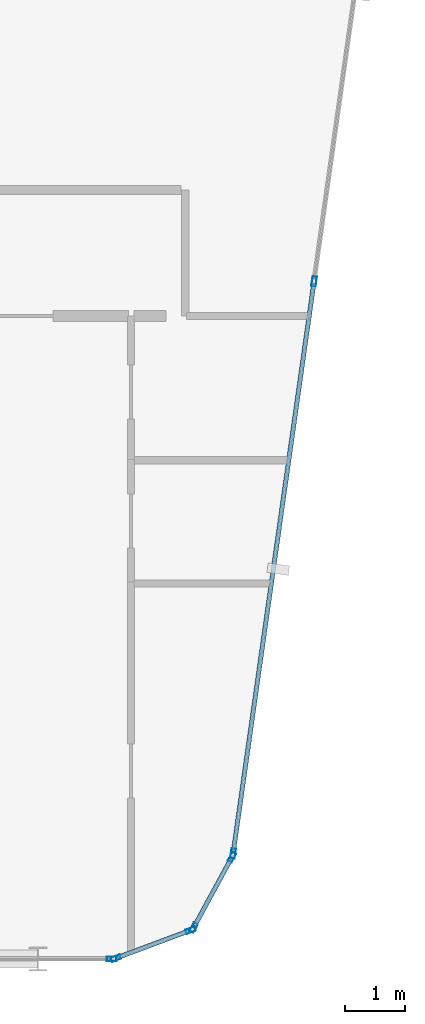
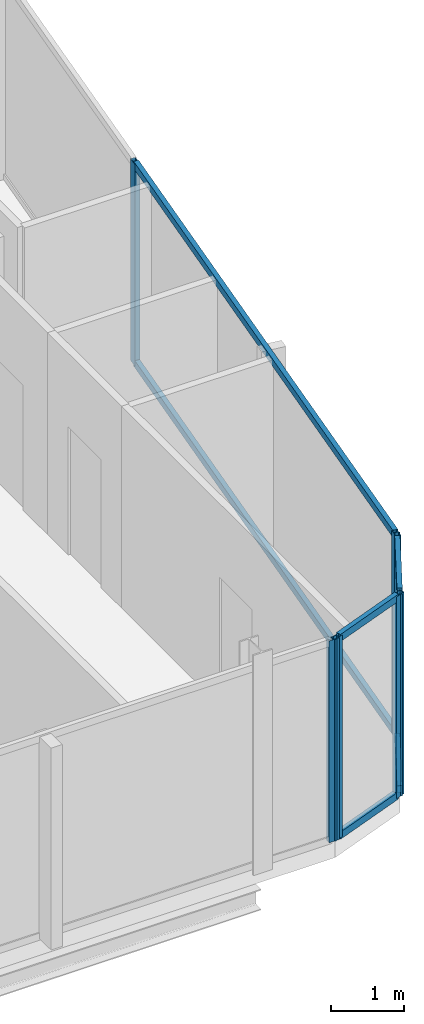
# One storey, part 12 of 27: 13 members, 4 elements without a shape of their own.
"""IFC4 building model written with IfcOpenShell, lengths in metres."""

from ifc_helpers import new_model, si_unit, direction, frame, origin, origin_2d, place, context, subcontext, project, spatial, hollow_rectangle, extrude, material, layer, layer_set, material_profile, profile_set, type_object, element, aggregate, save


model = new_model("IFC4")

# Units and contexts
model_context = context("Model", 3, precision=1e-05, world=origin(), true_north=direction((0.0, 1.0)))
body_context = subcontext(model_context, "Body", "Model", "MODEL_VIEW")
ifc_project = project(units=[si_unit("LENGTHUNIT", "METRE"), si_unit("AREAUNIT", "SQUARE_METRE"), si_unit("VOLUMEUNIT", "CUBIC_METRE"), si_unit("PLANEANGLEUNIT", "RADIAN"), si_unit("MASSUNIT", "GRAM", prefix="KILO")], contexts=[model_context])

# Site, building, storey
site_placement = place(None, origin())
site = spatial("IfcSite", under=ifc_project, at=site_placement, CompositionType="ELEMENT")
building_placement = place(site_placement, origin())
building = spatial("IfcBuilding", under=site, at=building_placement, Name="Keshet Zoharim Tower", CompositionType="ELEMENT")
storey_placement = place(building_placement, frame((0.0, 0.0, 273.199951171875)))
storey = spatial("IfcBuildingStorey", under=building, at=storey_placement, Name="L68", CompositionType="ELEMENT", Elevation=273.199951171875)

# Curtain wall, members
ifc_material = material(Name="Aluminium 6063-T6", Category="aluminium")
ifc_layer = layer(ifc_material, 0.260009765625)
ifc_layer_set = layer_set([ifc_layer], Name="Aluminium 6063-T6")
curtain_wall_type = type_object("IfcCurtainWallType", Name="CW-SYS-06", PredefinedType="NOTDEFINED", material=ifc_layer_set)
curtain_wall_1_placement = place(storey_placement, origin())
curtain_wall_1 = element("IfcCurtainWall", 1, at=curtain_wall_1_placement, inside=storey, type_object=curtain_wall_type, Name="L68 Unitised Curtain Wall 11", PredefinedType="NOTDEFINED")
ifc_material_profile_1 = material_profile(ifc_material, hollow_rectangle(XDim=0.074951171875, YDim=0.159912109375, WallThickness=0.00390625, at=origin_2d()), Name="MUL-75x160")
ifc_profile_set_1 = profile_set([ifc_material_profile_1], Name="Aluminium 6063-T6")
member_type_1 = type_object("IfcMemberType", Name="CWM-M15", PredefinedType="MULLION", material=ifc_profile_set_1)
member_1_placement = place(storey_placement, frame((43.595458984375, 17.97607421875, 0.0), z_axis=(0.0, 0.0, 1.0), x_axis=(0.990132057422, -0.140137464177, 0.0)))
member_1 = element("IfcMember", 2, at=member_1_placement, type_object=member_type_1, Name="CW-06 mullion 2", PredefinedType="MULLION", context=body_context, shape_type="SweptSolid", body=[
    extrude(hollow_rectangle(XDim=0.074951171875, YDim=0.159912109375, WallThickness=0.00390625, at=origin_2d()), origin(), (0.0, 0.0, 1.0), 3.39013671875),
])
member_2_placement = place(storey_placement, frame((42.247802734375, 8.45458984375, 0.0), z_axis=(0.0, 0.0, 1.0), x_axis=(0.990132057422, -0.140137464177, 0.0)))
member_2 = element("IfcMember", 3, at=member_2_placement, type_object=member_type_1, Name="CW-06 mullion 3", PredefinedType="MULLION", context=body_context, shape_type="SweptSolid", body=[
    extrude(hollow_rectangle(XDim=0.074951171875, YDim=0.159912109375, WallThickness=0.00390625, at=origin_2d()), origin(), (0.0, 0.0, 1.0), 3.39013671875),
])

curtain_wall_2_placement = place(storey_placement, origin())
curtain_wall_2 = element("IfcCurtainWall", 4, at=curtain_wall_2_placement, inside=storey, type_object=curtain_wall_type, Name="L68 Unitised Curtain Wall 12", PredefinedType="NOTDEFINED")
member_3_placement = place(storey_placement, frame((42.226318359375, 8.38916015625, 0.0), z_axis=(0.0, 0.0, 1.0), x_axis=(0.878468125004, -0.477800955789, 0.0)))
member_3 = element("IfcMember", 5, at=member_3_placement, type_object=member_type_1, Name="CW-06 mullion 1", PredefinedType="MULLION", context=body_context, shape_type="SweptSolid", body=[
    extrude(hollow_rectangle(XDim=0.074951171875, YDim=0.159912109375, WallThickness=0.00390625, at=origin_2d()), origin(), (0.0, 0.0, 1.0), 3.39013671875),
])
member_4_placement = place(storey_placement, frame((41.5908203125, 7.220703125, 0.0), z_axis=(0.0, 0.0, 1.0), x_axis=(0.878468125004, -0.477800955789, 0.0)))
member_4 = element("IfcMember", 6, at=member_4_placement, type_object=member_type_1, Name="CW-06 mullion 2", PredefinedType="MULLION", context=body_context, shape_type="SweptSolid", body=[
    extrude(hollow_rectangle(XDim=0.074951171875, YDim=0.159912109375, WallThickness=0.00390625, at=origin_2d()), origin(), (0.0, 0.0, 1.0), 3.39013671875),
])

curtain_wall_3_placement = place(storey_placement, origin())
curtain_wall_3 = element("IfcCurtainWall", 7, at=curtain_wall_3_placement, inside=storey, type_object=curtain_wall_type, Name="L68 Unitised Curtain Wall 13", PredefinedType="NOTDEFINED")
member_5_placement = place(storey_placement, frame((41.541259765625, 7.177734375, 0.0), z_axis=(0.0, 0.0, 1.0), x_axis=(0.350105315376, -0.936710343781, 0.0)))
member_5 = element("IfcMember", 8, at=member_5_placement, type_object=member_type_1, Name="CW-06 mullion 1", PredefinedType="MULLION", context=body_context, shape_type="SweptSolid", body=[
    extrude(hollow_rectangle(XDim=0.074951171875, YDim=0.159912109375, WallThickness=0.00390625, at=origin_2d()), origin(), (0.0, 0.0, 1.0), 3.39013671875),
])
member_6_placement = place(storey_placement, frame((40.2958984375, 6.712158203125, 0.0), z_axis=(0.0, 0.0, 1.0), x_axis=(0.350105315376, -0.936710343781, 0.0)))
member_6 = element("IfcMember", 9, at=member_6_placement, type_object=member_type_1, Name="CW-06 mullion 2", PredefinedType="MULLION", context=body_context, shape_type="SweptSolid", body=[
    extrude(hollow_rectangle(XDim=0.074951171875, YDim=0.159912109375, WallThickness=0.00390625, at=origin_2d()), origin(), (0.0, 0.0, 1.0), 3.39013671875),
])

# Curtain wall, member
curtain_wall_4_placement = place(storey_placement, origin())
curtain_wall_4 = element("IfcCurtainWall", 10, at=curtain_wall_4_placement, inside=storey, type_object=curtain_wall_type, Name="L68 Unitised Curtain Wall 14", PredefinedType="NOTDEFINED")
member_7_placement = place(storey_placement, frame((40.22802734375, 6.699951171875, 0.0), z_axis=(0.0, 0.0, 1.0), x_axis=(0.0, -1.0, 0.0)))
member_7 = element("IfcMember", 11, at=member_7_placement, type_object=member_type_1, Name="CW-06 mullion 1", PredefinedType="MULLION", context=body_context, shape_type="SweptSolid", body=[
    extrude(hollow_rectangle(XDim=0.074951171875, YDim=0.159912109375, WallThickness=0.00390625, at=origin_2d()), origin(), (0.0, 0.0, 1.0), 3.39013671875),
])
aggregate(curtain_wall_4, [member_7])

# Member
ifc_material_profile_2 = material_profile(ifc_material, hollow_rectangle(XDim=0.074951171875, YDim=0.1201171875, WallThickness=0.00390625, at=origin_2d()), Name="TRN-75x120")
ifc_profile_set_2 = profile_set([ifc_material_profile_2], Name="Aluminium 6063-T6")
member_type_2 = type_object("IfcMemberType", Name="CWT-T12", PredefinedType="USERDEFINED", material=ifc_profile_set_2)
member_8_placement = place(storey_placement, frame((43.590576171875, 17.94140625, 0.03515625), z_axis=(-0.14012154881, -0.990134309859, 0.0), x_axis=(0.990134309859, -0.14012154881, 0.0)))
member_8 = element("IfcMember", 12, at=member_8_placement, type_object=member_type_2, Name="CW-06 transom 2.1", ObjectType="TRANSOM", PredefinedType="USERDEFINED", context=body_context, shape_type="SweptSolid", body=[
    extrude(hollow_rectangle(XDim=0.074951171875, YDim=0.1201171875, WallThickness=0.00390625, at=origin_2d()), origin(), (0.0, 0.0, 1.0), 9.54638671875),
])

member_9_placement = place(storey_placement, frame((43.590576171875, 17.94140625, 3.35498046875), z_axis=(-0.14012154881, -0.990134309859, 0.0), x_axis=(0.990134309859, -0.14012154881, 0.0)))
member_9 = element("IfcMember", 13, at=member_9_placement, type_object=member_type_2, Name="CW-06 transom 2.2", ObjectType="TRANSOM", PredefinedType="USERDEFINED", context=body_context, shape_type="SweptSolid", body=[
    extrude(hollow_rectangle(XDim=0.074951171875, YDim=0.1201171875, WallThickness=0.00390625, at=origin_2d()), origin(), (0.0, 0.0, 1.0), 9.54638671875),
])

aggregate(curtain_wall_1, [member_1, member_2, member_8, member_9])

member_10_placement = place(storey_placement, frame((42.20947265625, 8.3583984375, 0.03515625), z_axis=(-0.47779293276, -0.878472488701, 0.0), x_axis=(0.878472488701, -0.47779293276, 0.0)))
member_10 = element("IfcMember", 14, at=member_10_placement, type_object=member_type_2, Name="CW-06 transom 1.1", ObjectType="TRANSOM", PredefinedType="USERDEFINED", context=body_context, shape_type="SweptSolid", body=[
    extrude(hollow_rectangle(XDim=0.074951171875, YDim=0.1201171875, WallThickness=0.00390625, at=origin_2d()), origin(), (0.0, 0.0, 1.0), 1.260009765625),
])

member_11_placement = place(storey_placement, frame((42.20947265625, 8.3583984375, 3.35498046875), z_axis=(-0.47779293276, -0.878472488701, 0.0), x_axis=(0.878472488701, -0.47779293276, 0.0)))
member_11 = element("IfcMember", 15, at=member_11_placement, type_object=member_type_2, Name="CW-06 transom 1.2", ObjectType="TRANSOM", PredefinedType="USERDEFINED", context=body_context, shape_type="SweptSolid", body=[
    extrude(hollow_rectangle(XDim=0.074951171875, YDim=0.1201171875, WallThickness=0.00390625, at=origin_2d()), origin(), (0.0, 0.0, 1.0), 1.260009765625),
])

aggregate(curtain_wall_2, [member_3, member_4, member_10, member_11])

member_12_placement = place(storey_placement, frame((41.508544921875, 7.16552734375, 0.03515625), z_axis=(-0.93673477759, -0.350039935512, 0.0), x_axis=(0.350039935512, -0.93673477759, 0.0)))
member_12 = element("IfcMember", 16, at=member_12_placement, type_object=member_type_2, Name="CW-06 transom 1.1", ObjectType="TRANSOM", PredefinedType="USERDEFINED", context=body_context, shape_type="SweptSolid", body=[
    extrude(hollow_rectangle(XDim=0.074951171875, YDim=0.1201171875, WallThickness=0.00390625, at=origin_2d()), origin(), (0.0, 0.0, 1.0), 1.259521484375),
])

member_13_placement = place(storey_placement, frame((41.508544921875, 7.16552734375, 3.35498046875), z_axis=(-0.93673477759, -0.350039935512, 0.0), x_axis=(0.350039935512, -0.93673477759, 0.0)))
member_13 = element("IfcMember", 17, at=member_13_placement, type_object=member_type_2, Name="CW-06 transom 1.2", ObjectType="TRANSOM", PredefinedType="USERDEFINED", context=body_context, shape_type="SweptSolid", body=[
    extrude(hollow_rectangle(XDim=0.074951171875, YDim=0.1201171875, WallThickness=0.00390625, at=origin_2d()), origin(), (0.0, 0.0, 1.0), 1.259521484375),
])

aggregate(curtain_wall_3, [member_5, member_6, member_12, member_13])

save(model, "model.ifc")
